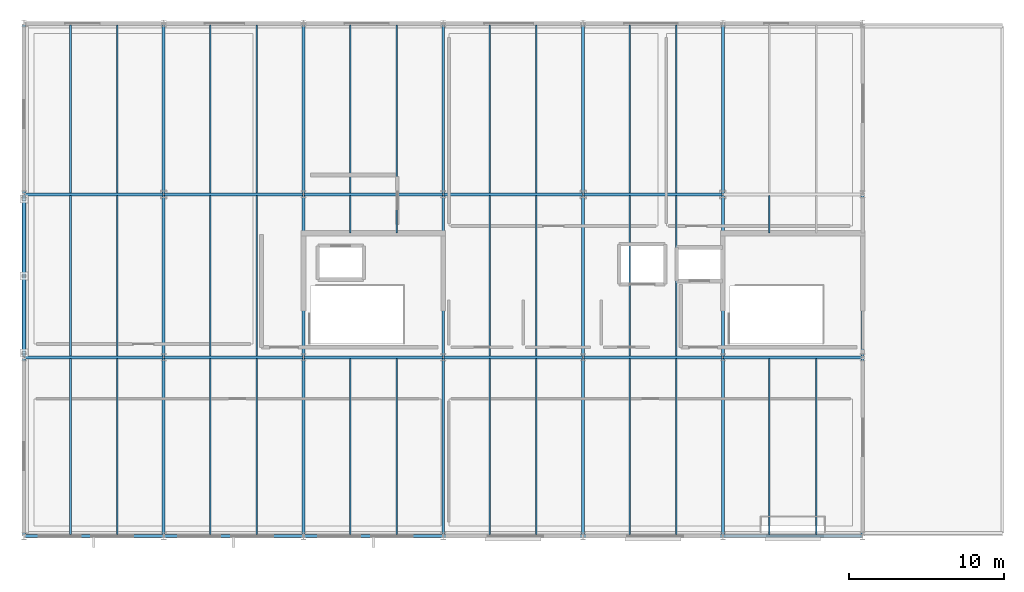
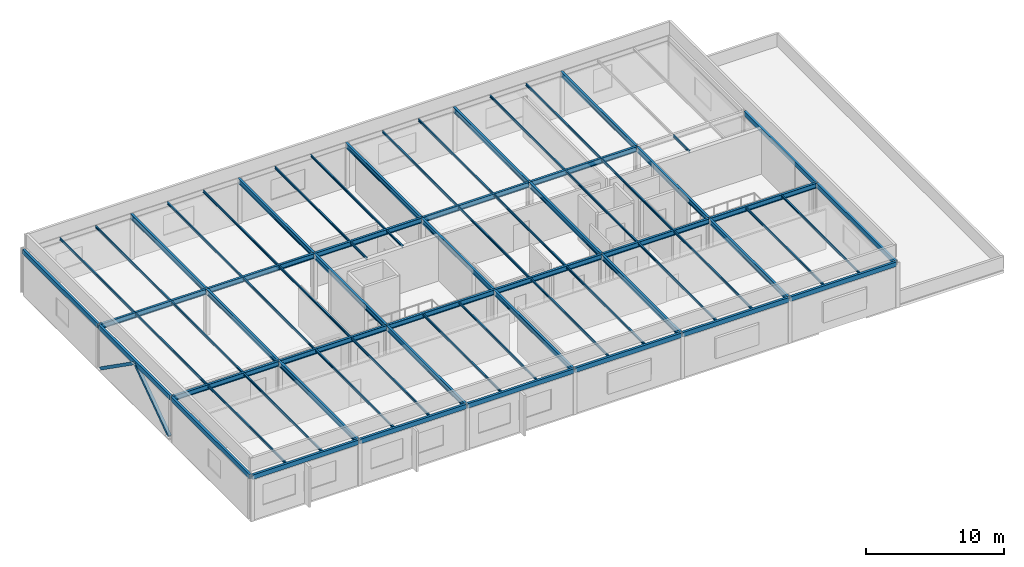
# One storey, part 5 of 14: 70 beams, 2 members.
"""IFC4 building model written with IfcOpenShell, lengths in metres."""

from ifc_helpers import new_model, si_unit, direction, frame, origin, origin_2d, place, context, subcontext, project, spatial, hollow_rectangle, i_section, extrude, material, material_profile, profile_set, type_object, element, save


model = new_model("IFC4")

# Units and contexts
model_context = context("Model", 3, precision=1e-05, world=origin(), true_north=direction((0.0, 1.0)))
body_context = subcontext(model_context, "Body", "Model", "MODEL_VIEW")
ifc_project = project(units=[si_unit("LENGTHUNIT", "METRE"), si_unit("AREAUNIT", "SQUARE_METRE"), si_unit("VOLUMEUNIT", "CUBIC_METRE"), si_unit("PLANEANGLEUNIT", "RADIAN"), si_unit("MASSUNIT", "GRAM", prefix="KILO")], contexts=[model_context])

# Site, building, storey
site_placement = place(None, origin())
site = spatial("IfcSite", under=ifc_project, at=site_placement, CompositionType="ELEMENT")
building_placement = place(site_placement, origin())
building = spatial("IfcBuilding", under=site, at=building_placement, Name="Marlcrest Central Station", CompositionType="ELEMENT")
storey_placement = place(building_placement, frame((0.0, 0.0, 24.0)))
storey = spatial("IfcBuildingStorey", under=building, at=storey_placement, Name="L05", CompositionType="ELEMENT", Elevation=24.0)

# Members
ifc_material = material(Name="Steel S355", Category="steel")
ifc_material_profile_1 = material_profile(ifc_material, hollow_rectangle(XDim=0.25, YDim=0.25, WallThickness=0.012451171875, at=origin_2d()), Name="SHS 250x250x12.5")
ifc_profile_set_1 = profile_set([ifc_material_profile_1], Name="Steel S355")
member_type = type_object("IfcMemberType", Name="BF-02", PredefinedType="BRACE", material=ifc_profile_set_1)
for number, where, z_axis, x_axis, name in (
    (1, (0.0, 110.800048828125, 0.25), (0.0, 0.818064455956, 0.575126547728), (-1.0, 0.0, 0.0), "mem-BF-02-L05-00011"),
    (2, (0.0, 120.699951171875, 0.25), (0.0, -0.818064455956, 0.575126547728), (1.0, 0.0, 0.0), "mem-BF-02-L05-00012"),
):
    element("IfcMember", number, at=place(storey_placement, frame(where, z_axis=z_axis, x_axis=x_axis)), inside=storey, type_object=member_type, Name=name, PredefinedType="BRACE", context=body_context, shape_type="SweptSolid", body=[
        extrude(hollow_rectangle(XDim=0.25, YDim=0.25, WallThickness=0.012451171875, at=origin_2d()), origin(), (0.0, 0.0, 1.0), 6.05078125),
    ])

# Beams
ifc_material_profile_2 = material_profile(ifc_material, i_section(OverallWidth=0.18994140625, OverallDepth=0.449951171875, WebThickness=0.009521484375, FlangeThickness=0.0146484375, FilletRadius=0.02099609375, at=origin_2d()), Name="IPE 450")
ifc_profile_set_2 = profile_set([ifc_material_profile_2], Name="Steel S355")
beam_type_1 = type_object("IfcBeamType", Name="BM-04", PredefinedType="BEAM", material=ifc_profile_set_2)
for number, where, z_axis, x_axis, name in (
    (3, (0.050048828125, 110.5, 3.7548828125), (1.0, 0.0, 0.0), (0.0, 1.0, 0.0), "bm-BM-04-L05-00675"),
    (4, (9.050048828125, 110.5, 3.7548828125), (1.0, 0.0, 0.0), (0.0, 1.0, 0.0), "bm-BM-04-L05-00676"),
    (5, (18.050048828125, 110.5, 3.7548828125), (1.0, 0.0, 0.0), (0.0, 1.0, 0.0), "bm-BM-04-L05-00677"),
    (6, (27.050048828125, 110.5, 3.7548828125), (1.0, 0.0, 0.0), (0.0, 1.0, 0.0), "bm-BM-04-L05-00678"),
    (7, (36.050048828125, 110.5, 3.7548828125), (1.0, 0.0, 0.0), (0.0, 1.0, 0.0), "bm-BM-04-L05-00679"),
    (8, (45.050048828125, 110.5, 3.7548828125), (1.0, 0.0, 0.0), (0.0, 1.0, 0.0), "bm-BM-04-L05-00680"),
    (9, (0.050048828125, 121.0, 3.7548828125), (1.0, 0.0, 0.0), (0.0, 1.0, 0.0), "bm-BM-04-L05-00681"),
    (10, (9.050048828125, 121.0, 3.7548828125), (1.0, 0.0, 0.0), (0.0, 1.0, 0.0), "bm-BM-04-L05-00682"),
    (11, (18.050048828125, 121.0, 3.7548828125), (1.0, 0.0, 0.0), (0.0, 1.0, 0.0), "bm-BM-04-L05-00683"),
    (12, (27.050048828125, 121.0, 3.7548828125), (1.0, 0.0, 0.0), (0.0, 1.0, 0.0), "bm-BM-04-L05-00684"),
    (13, (36.050048828125, 121.0, 3.7548828125), (1.0, 0.0, 0.0), (0.0, 1.0, 0.0), "bm-BM-04-L05-00685"),
):
    element("IfcBeam", number, at=place(storey_placement, frame(where, z_axis=z_axis, x_axis=x_axis)), inside=storey, type_object=beam_type_1, Name=name, PredefinedType="BEAM", context=body_context, shape_type="SweptSolid", body=[
        extrude(i_section(OverallWidth=0.18994140625, OverallDepth=0.449951171875, WebThickness=0.009521484375, FlangeThickness=0.0146484375, FilletRadius=0.02099609375, at=origin_2d()), origin(), (0.0, 0.0, 1.0), 8.89990234375),
    ])
beam_1_placement = place(storey_placement, frame((9.0, 99.050048828125, 3.7548828125), z_axis=(0.0, 1.0, 0.0), x_axis=(-1.0, 0.0, 0.0)))
element("IfcBeam", 14, at=beam_1_placement, inside=storey, type_object=beam_type_1, Name="bm-BM-04-L05-00696", PredefinedType="BEAM", context=body_context, shape_type="SweptSolid", body=[
    extrude(i_section(OverallWidth=0.18994140625, OverallDepth=0.449951171875, WebThickness=0.009521484375, FlangeThickness=0.0146484375, FilletRadius=0.02099609375, at=origin_2d()), origin(), (0.0, 0.0, 1.0), 11.39990234375),
])
beam_2_placement = place(storey_placement, frame((9.0, 110.550048828125, 3.7548828125), z_axis=(0.0, 1.0, 0.0), x_axis=(-1.0, 0.0, 0.0)))
element("IfcBeam", 15, at=beam_2_placement, inside=storey, type_object=beam_type_1, Name="bm-BM-04-L05-00697", PredefinedType="BEAM", context=body_context, shape_type="SweptSolid", body=[
    extrude(i_section(OverallWidth=0.18994140625, OverallDepth=0.449951171875, WebThickness=0.009521484375, FlangeThickness=0.0146484375, FilletRadius=0.02099609375, at=origin_2d()), origin(), (0.0, 0.0, 1.0), 10.39990234375),
])
beam_3_placement = place(storey_placement, frame((9.0, 121.050048828125, 3.7548828125), z_axis=(0.0, 1.0, 0.0), x_axis=(-1.0, 0.0, 0.0)))
element("IfcBeam", 16, at=beam_3_placement, inside=storey, type_object=beam_type_1, Name="bm-BM-04-L05-00698", PredefinedType="BEAM", context=body_context, shape_type="SweptSolid", body=[
    extrude(i_section(OverallWidth=0.18994140625, OverallDepth=0.449951171875, WebThickness=0.009521484375, FlangeThickness=0.0146484375, FilletRadius=0.02099609375, at=origin_2d()), origin(), (0.0, 0.0, 1.0), 10.89990234375),
])
beam_4_placement = place(storey_placement, frame((18.0, 99.050048828125, 3.7548828125), z_axis=(0.0, 1.0, 0.0), x_axis=(-1.0, 0.0, 0.0)))
element("IfcBeam", 17, at=beam_4_placement, inside=storey, type_object=beam_type_1, Name="bm-BM-04-L05-00699", PredefinedType="BEAM", context=body_context, shape_type="SweptSolid", body=[
    extrude(i_section(OverallWidth=0.18994140625, OverallDepth=0.449951171875, WebThickness=0.009521484375, FlangeThickness=0.0146484375, FilletRadius=0.02099609375, at=origin_2d()), origin(), (0.0, 0.0, 1.0), 11.39990234375),
])
beam_5_placement = place(storey_placement, frame((18.0, 110.550048828125, 3.7548828125), z_axis=(0.0, 1.0, 0.0), x_axis=(-1.0, 0.0, 0.0)))
element("IfcBeam", 18, at=beam_5_placement, inside=storey, type_object=beam_type_1, Name="bm-BM-04-L05-00700", PredefinedType="BEAM", context=body_context, shape_type="SweptSolid", body=[
    extrude(i_section(OverallWidth=0.18994140625, OverallDepth=0.449951171875, WebThickness=0.009521484375, FlangeThickness=0.0146484375, FilletRadius=0.02099609375, at=origin_2d()), origin(), (0.0, 0.0, 1.0), 10.39990234375),
])
beam_6_placement = place(storey_placement, frame((18.0, 121.050048828125, 3.7548828125), z_axis=(0.0, 1.0, 0.0), x_axis=(-1.0, 0.0, 0.0)))
element("IfcBeam", 19, at=beam_6_placement, inside=storey, type_object=beam_type_1, Name="bm-BM-04-L05-00701", PredefinedType="BEAM", context=body_context, shape_type="SweptSolid", body=[
    extrude(i_section(OverallWidth=0.18994140625, OverallDepth=0.449951171875, WebThickness=0.009521484375, FlangeThickness=0.0146484375, FilletRadius=0.02099609375, at=origin_2d()), origin(), (0.0, 0.0, 1.0), 10.89990234375),
])
beam_7_placement = place(storey_placement, frame((27.0, 99.050048828125, 3.7548828125), z_axis=(0.0, 1.0, 0.0), x_axis=(-1.0, 0.0, 0.0)))
element("IfcBeam", 20, at=beam_7_placement, inside=storey, type_object=beam_type_1, Name="bm-BM-04-L05-00702", PredefinedType="BEAM", context=body_context, shape_type="SweptSolid", body=[
    extrude(i_section(OverallWidth=0.18994140625, OverallDepth=0.449951171875, WebThickness=0.009521484375, FlangeThickness=0.0146484375, FilletRadius=0.02099609375, at=origin_2d()), origin(), (0.0, 0.0, 1.0), 11.39990234375),
])
beam_8_placement = place(storey_placement, frame((27.0, 110.550048828125, 3.7548828125), z_axis=(0.0, 1.0, 0.0), x_axis=(-1.0, 0.0, 0.0)))
element("IfcBeam", 21, at=beam_8_placement, inside=storey, type_object=beam_type_1, Name="bm-BM-04-L05-00703", PredefinedType="BEAM", context=body_context, shape_type="SweptSolid", body=[
    extrude(i_section(OverallWidth=0.18994140625, OverallDepth=0.449951171875, WebThickness=0.009521484375, FlangeThickness=0.0146484375, FilletRadius=0.02099609375, at=origin_2d()), origin(), (0.0, 0.0, 1.0), 10.39990234375),
])
beam_9_placement = place(storey_placement, frame((27.0, 121.050048828125, 3.7548828125), z_axis=(0.0, 1.0, 0.0), x_axis=(-1.0, 0.0, 0.0)))
element("IfcBeam", 22, at=beam_9_placement, inside=storey, type_object=beam_type_1, Name="bm-BM-04-L05-00704", PredefinedType="BEAM", context=body_context, shape_type="SweptSolid", body=[
    extrude(i_section(OverallWidth=0.18994140625, OverallDepth=0.449951171875, WebThickness=0.009521484375, FlangeThickness=0.0146484375, FilletRadius=0.02099609375, at=origin_2d()), origin(), (0.0, 0.0, 1.0), 10.89990234375),
])
beam_10_placement = place(storey_placement, frame((36.0, 99.050048828125, 3.7548828125), z_axis=(0.0, 1.0, 0.0), x_axis=(-1.0, 0.0, 0.0)))
element("IfcBeam", 23, at=beam_10_placement, inside=storey, type_object=beam_type_1, Name="bm-BM-04-L05-00705", PredefinedType="BEAM", context=body_context, shape_type="SweptSolid", body=[
    extrude(i_section(OverallWidth=0.18994140625, OverallDepth=0.449951171875, WebThickness=0.009521484375, FlangeThickness=0.0146484375, FilletRadius=0.02099609375, at=origin_2d()), origin(), (0.0, 0.0, 1.0), 11.39990234375),
])
beam_11_placement = place(storey_placement, frame((36.0, 110.550048828125, 3.7548828125), z_axis=(0.0, 1.0, 0.0), x_axis=(-1.0, 0.0, 0.0)))
element("IfcBeam", 24, at=beam_11_placement, inside=storey, type_object=beam_type_1, Name="bm-BM-04-L05-00706", PredefinedType="BEAM", context=body_context, shape_type="SweptSolid", body=[
    extrude(i_section(OverallWidth=0.18994140625, OverallDepth=0.449951171875, WebThickness=0.009521484375, FlangeThickness=0.0146484375, FilletRadius=0.02099609375, at=origin_2d()), origin(), (0.0, 0.0, 1.0), 10.39990234375),
])
beam_12_placement = place(storey_placement, frame((36.0, 121.050048828125, 3.7548828125), z_axis=(0.0, 1.0, 0.0), x_axis=(-1.0, 0.0, 0.0)))
element("IfcBeam", 25, at=beam_12_placement, inside=storey, type_object=beam_type_1, Name="bm-BM-04-L05-00707", PredefinedType="BEAM", context=body_context, shape_type="SweptSolid", body=[
    extrude(i_section(OverallWidth=0.18994140625, OverallDepth=0.449951171875, WebThickness=0.009521484375, FlangeThickness=0.0146484375, FilletRadius=0.02099609375, at=origin_2d()), origin(), (0.0, 0.0, 1.0), 10.89990234375),
])
beam_13_placement = place(storey_placement, frame((45.0, 99.050048828125, 3.7548828125), z_axis=(0.0, 1.0, 0.0), x_axis=(-1.0, 0.0, 0.0)))
element("IfcBeam", 26, at=beam_13_placement, inside=storey, type_object=beam_type_1, Name="bm-BM-04-L05-00708", PredefinedType="BEAM", context=body_context, shape_type="SweptSolid", body=[
    extrude(i_section(OverallWidth=0.18994140625, OverallDepth=0.449951171875, WebThickness=0.009521484375, FlangeThickness=0.0146484375, FilletRadius=0.02099609375, at=origin_2d()), origin(), (0.0, 0.0, 1.0), 11.39990234375),
])
beam_14_placement = place(storey_placement, frame((45.0, 110.550048828125, 3.7548828125), z_axis=(0.0, 1.0, 0.0), x_axis=(-1.0, 0.0, 0.0)))
element("IfcBeam", 27, at=beam_14_placement, inside=storey, type_object=beam_type_1, Name="bm-BM-04-L05-00709", PredefinedType="BEAM", context=body_context, shape_type="SweptSolid", body=[
    extrude(i_section(OverallWidth=0.18994140625, OverallDepth=0.449951171875, WebThickness=0.009521484375, FlangeThickness=0.0146484375, FilletRadius=0.02099609375, at=origin_2d()), origin(), (0.0, 0.0, 1.0), 10.39990234375),
])
beam_15_placement = place(storey_placement, frame((45.0, 121.050048828125, 3.7548828125), z_axis=(0.0, 1.0, 0.0), x_axis=(-1.0, 0.0, 0.0)))
element("IfcBeam", 28, at=beam_15_placement, inside=storey, type_object=beam_type_1, Name="bm-BM-04-L05-00710", PredefinedType="BEAM", context=body_context, shape_type="SweptSolid", body=[
    extrude(i_section(OverallWidth=0.18994140625, OverallDepth=0.449951171875, WebThickness=0.009521484375, FlangeThickness=0.0146484375, FilletRadius=0.02099609375, at=origin_2d()), origin(), (0.0, 0.0, 1.0), 10.89990234375),
])
ifc_material_profile_3 = material_profile(ifc_material, i_section(OverallWidth=0.10009765625, OverallDepth=0.199951171875, WebThickness=0.005615234375, FlangeThickness=0.008544921875, FilletRadius=0.011962890625, at=origin_2d()), Name="IPE 200")
ifc_profile_set_3 = profile_set([ifc_material_profile_3], Name="Steel S355")
beam_type_2 = type_object("IfcBeamType", Name="JS-01", PredefinedType="JOIST", material=ifc_profile_set_3)
beam_16_placement = place(storey_placement, frame((3.0, 99.094970703125, 3.8798828125), z_axis=(0.0, 1.0, 0.0), x_axis=(-1.0, 0.0, 0.0)))
element("IfcBeam", 29, at=beam_16_placement, inside=storey, type_object=beam_type_2, Name="bm-JS-01-L05-00714", PredefinedType="JOIST", context=body_context, shape_type="SweptSolid", body=[
    extrude(i_section(OverallWidth=0.10009765625, OverallDepth=0.199951171875, WebThickness=0.005615234375, FlangeThickness=0.008544921875, FilletRadius=0.011962890625, at=origin_2d()), origin(), (0.0, 0.0, 1.0), 11.324951171875),
])
beam_17_placement = place(storey_placement, frame((3.0, 110.580078125, 3.8798828125), z_axis=(0.0, 1.0, 0.0), x_axis=(-1.0, 0.0, 0.0)))
element("IfcBeam", 30, at=beam_17_placement, inside=storey, type_object=beam_type_2, Name="bm-JS-01-L05-00715", PredefinedType="JOIST", context=body_context, shape_type="SweptSolid", body=[
    extrude(i_section(OverallWidth=0.10009765625, OverallDepth=0.199951171875, WebThickness=0.005615234375, FlangeThickness=0.008544921875, FilletRadius=0.011962890625, at=origin_2d()), origin(), (0.0, 0.0, 1.0), 10.33984375),
])
beam_18_placement = place(storey_placement, frame((3.0, 121.080078125, 3.8798828125), z_axis=(0.0, 1.0, 0.0), x_axis=(-1.0, 0.0, 0.0)))
element("IfcBeam", 31, at=beam_18_placement, inside=storey, type_object=beam_type_2, Name="bm-JS-01-L05-00716", PredefinedType="JOIST", context=body_context, shape_type="SweptSolid", body=[
    extrude(i_section(OverallWidth=0.10009765625, OverallDepth=0.199951171875, WebThickness=0.005615234375, FlangeThickness=0.008544921875, FilletRadius=0.011962890625, at=origin_2d()), origin(), (0.0, 0.0, 1.0), 10.824951171875),
])
beam_19_placement = place(storey_placement, frame((6.0, 99.094970703125, 3.8798828125), z_axis=(0.0, 1.0, 0.0), x_axis=(-1.0, 0.0, 0.0)))
element("IfcBeam", 32, at=beam_19_placement, inside=storey, type_object=beam_type_2, Name="bm-JS-01-L05-00717", PredefinedType="JOIST", context=body_context, shape_type="SweptSolid", body=[
    extrude(i_section(OverallWidth=0.10009765625, OverallDepth=0.199951171875, WebThickness=0.005615234375, FlangeThickness=0.008544921875, FilletRadius=0.011962890625, at=origin_2d()), origin(), (0.0, 0.0, 1.0), 11.324951171875),
])
beam_20_placement = place(storey_placement, frame((6.0, 110.580078125, 3.8798828125), z_axis=(0.0, 1.0, 0.0), x_axis=(-1.0, 0.0, 0.0)))
element("IfcBeam", 33, at=beam_20_placement, inside=storey, type_object=beam_type_2, Name="bm-JS-01-L05-00718", PredefinedType="JOIST", context=body_context, shape_type="SweptSolid", body=[
    extrude(i_section(OverallWidth=0.10009765625, OverallDepth=0.199951171875, WebThickness=0.005615234375, FlangeThickness=0.008544921875, FilletRadius=0.011962890625, at=origin_2d()), origin(), (0.0, 0.0, 1.0), 10.33984375),
])
beam_21_placement = place(storey_placement, frame((6.0, 121.080078125, 3.8798828125), z_axis=(0.0, 1.0, 0.0), x_axis=(-1.0, 0.0, 0.0)))
element("IfcBeam", 34, at=beam_21_placement, inside=storey, type_object=beam_type_2, Name="bm-JS-01-L05-00719", PredefinedType="JOIST", context=body_context, shape_type="SweptSolid", body=[
    extrude(i_section(OverallWidth=0.10009765625, OverallDepth=0.199951171875, WebThickness=0.005615234375, FlangeThickness=0.008544921875, FilletRadius=0.011962890625, at=origin_2d()), origin(), (0.0, 0.0, 1.0), 10.824951171875),
])
beam_22_placement = place(storey_placement, frame((12.0, 99.094970703125, 3.8798828125), z_axis=(0.0, 1.0, 0.0), x_axis=(-1.0, 0.0, 0.0)))
element("IfcBeam", 35, at=beam_22_placement, inside=storey, type_object=beam_type_2, Name="bm-JS-01-L05-00720", PredefinedType="JOIST", context=body_context, shape_type="SweptSolid", body=[
    extrude(i_section(OverallWidth=0.10009765625, OverallDepth=0.199951171875, WebThickness=0.005615234375, FlangeThickness=0.008544921875, FilletRadius=0.011962890625, at=origin_2d()), origin(), (0.0, 0.0, 1.0), 11.324951171875),
])
beam_23_placement = place(storey_placement, frame((12.0, 110.580078125, 3.8798828125), z_axis=(0.0, 1.0, 0.0), x_axis=(-1.0, 0.0, 0.0)))
element("IfcBeam", 36, at=beam_23_placement, inside=storey, type_object=beam_type_2, Name="bm-JS-01-L05-00721", PredefinedType="JOIST", context=body_context, shape_type="SweptSolid", body=[
    extrude(i_section(OverallWidth=0.10009765625, OverallDepth=0.199951171875, WebThickness=0.005615234375, FlangeThickness=0.008544921875, FilletRadius=0.011962890625, at=origin_2d()), origin(), (0.0, 0.0, 1.0), 10.33984375),
])
beam_24_placement = place(storey_placement, frame((12.0, 121.080078125, 3.8798828125), z_axis=(0.0, 1.0, 0.0), x_axis=(-1.0, 0.0, 0.0)))
element("IfcBeam", 37, at=beam_24_placement, inside=storey, type_object=beam_type_2, Name="bm-JS-01-L05-00722", PredefinedType="JOIST", context=body_context, shape_type="SweptSolid", body=[
    extrude(i_section(OverallWidth=0.10009765625, OverallDepth=0.199951171875, WebThickness=0.005615234375, FlangeThickness=0.008544921875, FilletRadius=0.011962890625, at=origin_2d()), origin(), (0.0, 0.0, 1.0), 10.824951171875),
])
beam_25_placement = place(storey_placement, frame((15.0, 99.094970703125, 3.8798828125), z_axis=(0.0, 1.0, 0.0), x_axis=(-1.0, 0.0, 0.0)))
element("IfcBeam", 38, at=beam_25_placement, inside=storey, type_object=beam_type_2, Name="bm-JS-01-L05-00723", PredefinedType="JOIST", context=body_context, shape_type="SweptSolid", body=[
    extrude(i_section(OverallWidth=0.10009765625, OverallDepth=0.199951171875, WebThickness=0.005615234375, FlangeThickness=0.008544921875, FilletRadius=0.011962890625, at=origin_2d()), origin(), (0.0, 0.0, 1.0), 11.324951171875),
])
beam_26_placement = place(storey_placement, frame((15.0, 110.580078125, 3.8798828125), z_axis=(0.0, 1.0, 0.0), x_axis=(-1.0, 0.0, 0.0)))
element("IfcBeam", 39, at=beam_26_placement, inside=storey, type_object=beam_type_2, Name="bm-JS-01-L05-00724", PredefinedType="JOIST", context=body_context, shape_type="SweptSolid", body=[
    extrude(i_section(OverallWidth=0.10009765625, OverallDepth=0.199951171875, WebThickness=0.005615234375, FlangeThickness=0.008544921875, FilletRadius=0.011962890625, at=origin_2d()), origin(), (0.0, 0.0, 1.0), 10.33984375),
])
beam_27_placement = place(storey_placement, frame((15.0, 121.080078125, 3.8798828125), z_axis=(0.0, 1.0, 0.0), x_axis=(-1.0, 0.0, 0.0)))
element("IfcBeam", 40, at=beam_27_placement, inside=storey, type_object=beam_type_2, Name="bm-JS-01-L05-00725", PredefinedType="JOIST", context=body_context, shape_type="SweptSolid", body=[
    extrude(i_section(OverallWidth=0.10009765625, OverallDepth=0.199951171875, WebThickness=0.005615234375, FlangeThickness=0.008544921875, FilletRadius=0.011962890625, at=origin_2d()), origin(), (0.0, 0.0, 1.0), 10.824951171875),
])
beam_28_placement = place(storey_placement, frame((21.0, 99.094970703125, 3.8798828125), z_axis=(0.0, 1.0, 0.0), x_axis=(-1.0, 0.0, 0.0)))
element("IfcBeam", 41, at=beam_28_placement, inside=storey, type_object=beam_type_2, Name="bm-JS-01-L05-00726", PredefinedType="JOIST", context=body_context, shape_type="SweptSolid", body=[
    extrude(i_section(OverallWidth=0.10009765625, OverallDepth=0.199951171875, WebThickness=0.005615234375, FlangeThickness=0.008544921875, FilletRadius=0.011962890625, at=origin_2d()), origin(), (0.0, 0.0, 1.0), 11.324951171875),
])
beam_29_placement = place(storey_placement, frame((21.0, 118.52001953125, 3.8798828125), z_axis=(0.0, 1.0, 0.0), x_axis=(-1.0, 0.0, 0.0)))
element("IfcBeam", 42, at=beam_29_placement, inside=storey, type_object=beam_type_2, Name="bm-JS-01-L05-00727", PredefinedType="JOIST", context=body_context, shape_type="SweptSolid", body=[
    extrude(i_section(OverallWidth=0.10009765625, OverallDepth=0.199951171875, WebThickness=0.005615234375, FlangeThickness=0.008544921875, FilletRadius=0.011962890625, at=origin_2d()), origin(), (0.0, 0.0, 1.0), 2.39990234375),
])
beam_30_placement = place(storey_placement, frame((21.0, 121.080078125, 3.8798828125), z_axis=(0.0, 1.0, 0.0), x_axis=(-1.0, 0.0, 0.0)))
element("IfcBeam", 43, at=beam_30_placement, inside=storey, type_object=beam_type_2, Name="bm-JS-01-L05-00728", PredefinedType="JOIST", context=body_context, shape_type="SweptSolid", body=[
    extrude(i_section(OverallWidth=0.10009765625, OverallDepth=0.199951171875, WebThickness=0.005615234375, FlangeThickness=0.008544921875, FilletRadius=0.011962890625, at=origin_2d()), origin(), (0.0, 0.0, 1.0), 10.824951171875),
])
beam_31_placement = place(storey_placement, frame((24.0, 99.094970703125, 3.8798828125), z_axis=(0.0, 1.0, 0.0), x_axis=(-1.0, 0.0, 0.0)))
element("IfcBeam", 44, at=beam_31_placement, inside=storey, type_object=beam_type_2, Name="bm-JS-01-L05-00729", PredefinedType="JOIST", context=body_context, shape_type="SweptSolid", body=[
    extrude(i_section(OverallWidth=0.10009765625, OverallDepth=0.199951171875, WebThickness=0.005615234375, FlangeThickness=0.008544921875, FilletRadius=0.011962890625, at=origin_2d()), origin(), (0.0, 0.0, 1.0), 11.324951171875),
])
beam_32_placement = place(storey_placement, frame((24.0, 118.52001953125, 3.8798828125), z_axis=(0.0, 1.0, 0.0), x_axis=(-1.0, 0.0, 0.0)))
element("IfcBeam", 45, at=beam_32_placement, inside=storey, type_object=beam_type_2, Name="bm-JS-01-L05-00730", PredefinedType="JOIST", context=body_context, shape_type="SweptSolid", body=[
    extrude(i_section(OverallWidth=0.10009765625, OverallDepth=0.199951171875, WebThickness=0.005615234375, FlangeThickness=0.008544921875, FilletRadius=0.011962890625, at=origin_2d()), origin(), (0.0, 0.0, 1.0), 2.39990234375),
])
beam_33_placement = place(storey_placement, frame((24.0, 121.080078125, 3.8798828125), z_axis=(0.0, 1.0, 0.0), x_axis=(-1.0, 0.0, 0.0)))
element("IfcBeam", 46, at=beam_33_placement, inside=storey, type_object=beam_type_2, Name="bm-JS-01-L05-00731", PredefinedType="JOIST", context=body_context, shape_type="SweptSolid", body=[
    extrude(i_section(OverallWidth=0.10009765625, OverallDepth=0.199951171875, WebThickness=0.005615234375, FlangeThickness=0.008544921875, FilletRadius=0.011962890625, at=origin_2d()), origin(), (0.0, 0.0, 1.0), 10.824951171875),
])
beam_34_placement = place(storey_placement, frame((30.0, 99.094970703125, 3.8798828125), z_axis=(0.0, 1.0, 0.0), x_axis=(-1.0, 0.0, 0.0)))
element("IfcBeam", 47, at=beam_34_placement, inside=storey, type_object=beam_type_2, Name="bm-JS-01-L05-00732", PredefinedType="JOIST", context=body_context, shape_type="SweptSolid", body=[
    extrude(i_section(OverallWidth=0.10009765625, OverallDepth=0.199951171875, WebThickness=0.005615234375, FlangeThickness=0.008544921875, FilletRadius=0.011962890625, at=origin_2d()), origin(), (0.0, 0.0, 1.0), 11.324951171875),
])
beam_35_placement = place(storey_placement, frame((30.0, 110.580078125, 3.8798828125), z_axis=(0.0, 1.0, 0.0), x_axis=(-1.0, 0.0, 0.0)))
element("IfcBeam", 48, at=beam_35_placement, inside=storey, type_object=beam_type_2, Name="bm-JS-01-L05-00733", PredefinedType="JOIST", context=body_context, shape_type="SweptSolid", body=[
    extrude(i_section(OverallWidth=0.10009765625, OverallDepth=0.199951171875, WebThickness=0.005615234375, FlangeThickness=0.008544921875, FilletRadius=0.011962890625, at=origin_2d()), origin(), (0.0, 0.0, 1.0), 10.33984375),
])
beam_36_placement = place(storey_placement, frame((30.0, 121.080078125, 3.8798828125), z_axis=(0.0, 1.0, 0.0), x_axis=(-1.0, 0.0, 0.0)))
element("IfcBeam", 49, at=beam_36_placement, inside=storey, type_object=beam_type_2, Name="bm-JS-01-L05-00734", PredefinedType="JOIST", context=body_context, shape_type="SweptSolid", body=[
    extrude(i_section(OverallWidth=0.10009765625, OverallDepth=0.199951171875, WebThickness=0.005615234375, FlangeThickness=0.008544921875, FilletRadius=0.011962890625, at=origin_2d()), origin(), (0.0, 0.0, 1.0), 10.824951171875),
])
beam_37_placement = place(storey_placement, frame((33.0, 99.094970703125, 3.8798828125), z_axis=(0.0, 1.0, 0.0), x_axis=(-1.0, 0.0, 0.0)))
element("IfcBeam", 50, at=beam_37_placement, inside=storey, type_object=beam_type_2, Name="bm-JS-01-L05-00735", PredefinedType="JOIST", context=body_context, shape_type="SweptSolid", body=[
    extrude(i_section(OverallWidth=0.10009765625, OverallDepth=0.199951171875, WebThickness=0.005615234375, FlangeThickness=0.008544921875, FilletRadius=0.011962890625, at=origin_2d()), origin(), (0.0, 0.0, 1.0), 11.324951171875),
])
beam_38_placement = place(storey_placement, frame((33.0, 110.580078125, 3.8798828125), z_axis=(0.0, 1.0, 0.0), x_axis=(-1.0, 0.0, 0.0)))
element("IfcBeam", 51, at=beam_38_placement, inside=storey, type_object=beam_type_2, Name="bm-JS-01-L05-00736", PredefinedType="JOIST", context=body_context, shape_type="SweptSolid", body=[
    extrude(i_section(OverallWidth=0.10009765625, OverallDepth=0.199951171875, WebThickness=0.005615234375, FlangeThickness=0.008544921875, FilletRadius=0.011962890625, at=origin_2d()), origin(), (0.0, 0.0, 1.0), 10.33984375),
])
beam_39_placement = place(storey_placement, frame((33.0, 121.080078125, 3.8798828125), z_axis=(0.0, 1.0, 0.0), x_axis=(-1.0, 0.0, 0.0)))
element("IfcBeam", 52, at=beam_39_placement, inside=storey, type_object=beam_type_2, Name="bm-JS-01-L05-00737", PredefinedType="JOIST", context=body_context, shape_type="SweptSolid", body=[
    extrude(i_section(OverallWidth=0.10009765625, OverallDepth=0.199951171875, WebThickness=0.005615234375, FlangeThickness=0.008544921875, FilletRadius=0.011962890625, at=origin_2d()), origin(), (0.0, 0.0, 1.0), 10.824951171875),
])
beam_40_placement = place(storey_placement, frame((39.0, 99.094970703125, 3.8798828125), z_axis=(0.0, 1.0, 0.0), x_axis=(-1.0, 0.0, 0.0)))
element("IfcBeam", 53, at=beam_40_placement, inside=storey, type_object=beam_type_2, Name="bm-JS-01-L05-00738", PredefinedType="JOIST", context=body_context, shape_type="SweptSolid", body=[
    extrude(i_section(OverallWidth=0.10009765625, OverallDepth=0.199951171875, WebThickness=0.005615234375, FlangeThickness=0.008544921875, FilletRadius=0.011962890625, at=origin_2d()), origin(), (0.0, 0.0, 1.0), 11.324951171875),
])
beam_41_placement = place(storey_placement, frame((39.0, 110.580078125, 3.8798828125), z_axis=(0.0, 1.0, 0.0), x_axis=(-1.0, 0.0, 0.0)))
element("IfcBeam", 54, at=beam_41_placement, inside=storey, type_object=beam_type_2, Name="bm-JS-01-L05-00739", PredefinedType="JOIST", context=body_context, shape_type="SweptSolid", body=[
    extrude(i_section(OverallWidth=0.10009765625, OverallDepth=0.199951171875, WebThickness=0.005615234375, FlangeThickness=0.008544921875, FilletRadius=0.011962890625, at=origin_2d()), origin(), (0.0, 0.0, 1.0), 10.33984375),
])
beam_42_placement = place(storey_placement, frame((39.0, 121.080078125, 3.8798828125), z_axis=(0.0, 1.0, 0.0), x_axis=(-1.0, 0.0, 0.0)))
element("IfcBeam", 55, at=beam_42_placement, inside=storey, type_object=beam_type_2, Name="bm-JS-01-L05-00740", PredefinedType="JOIST", context=body_context, shape_type="SweptSolid", body=[
    extrude(i_section(OverallWidth=0.10009765625, OverallDepth=0.199951171875, WebThickness=0.005615234375, FlangeThickness=0.008544921875, FilletRadius=0.011962890625, at=origin_2d()), origin(), (0.0, 0.0, 1.0), 10.824951171875),
])
beam_43_placement = place(storey_placement, frame((42.0, 99.094970703125, 3.8798828125), z_axis=(0.0, 1.0, 0.0), x_axis=(-1.0, 0.0, 0.0)))
element("IfcBeam", 56, at=beam_43_placement, inside=storey, type_object=beam_type_2, Name="bm-JS-01-L05-00741", PredefinedType="JOIST", context=body_context, shape_type="SweptSolid", body=[
    extrude(i_section(OverallWidth=0.10009765625, OverallDepth=0.199951171875, WebThickness=0.005615234375, FlangeThickness=0.008544921875, FilletRadius=0.011962890625, at=origin_2d()), origin(), (0.0, 0.0, 1.0), 11.324951171875),
])
beam_44_placement = place(storey_placement, frame((42.0, 110.580078125, 3.8798828125), z_axis=(0.0, 1.0, 0.0), x_axis=(-1.0, 0.0, 0.0)))
element("IfcBeam", 57, at=beam_44_placement, inside=storey, type_object=beam_type_2, Name="bm-JS-01-L05-00742", PredefinedType="JOIST", context=body_context, shape_type="SweptSolid", body=[
    extrude(i_section(OverallWidth=0.10009765625, OverallDepth=0.199951171875, WebThickness=0.005615234375, FlangeThickness=0.008544921875, FilletRadius=0.011962890625, at=origin_2d()), origin(), (0.0, 0.0, 1.0), 10.33984375),
])
beam_45_placement = place(storey_placement, frame((42.0, 121.080078125, 3.8798828125), z_axis=(0.0, 1.0, 0.0), x_axis=(-1.0, 0.0, 0.0)))
element("IfcBeam", 58, at=beam_45_placement, inside=storey, type_object=beam_type_2, Name="bm-JS-01-L05-00743", PredefinedType="JOIST", context=body_context, shape_type="SweptSolid", body=[
    extrude(i_section(OverallWidth=0.10009765625, OverallDepth=0.199951171875, WebThickness=0.005615234375, FlangeThickness=0.008544921875, FilletRadius=0.011962890625, at=origin_2d()), origin(), (0.0, 0.0, 1.0), 10.824951171875),
])
beam_46_placement = place(storey_placement, frame((48.0, 99.094970703125, 3.8798828125), z_axis=(0.0, 1.0, 0.0), x_axis=(-1.0, 0.0, 0.0)))
element("IfcBeam", 59, at=beam_46_placement, inside=storey, type_object=beam_type_2, Name="bm-JS-01-L05-00744", PredefinedType="JOIST", context=body_context, shape_type="SweptSolid", body=[
    extrude(i_section(OverallWidth=0.10009765625, OverallDepth=0.199951171875, WebThickness=0.005615234375, FlangeThickness=0.008544921875, FilletRadius=0.011962890625, at=origin_2d()), origin(), (0.0, 0.0, 1.0), 11.324951171875),
])
beam_47_placement = place(storey_placement, frame((48.0, 118.52001953125, 3.8798828125), z_axis=(0.0, 1.0, 0.0), x_axis=(-1.0, 0.0, 0.0)))
element("IfcBeam", 60, at=beam_47_placement, inside=storey, type_object=beam_type_2, Name="bm-JS-01-L05-00745", PredefinedType="JOIST", context=body_context, shape_type="SweptSolid", body=[
    extrude(i_section(OverallWidth=0.10009765625, OverallDepth=0.199951171875, WebThickness=0.005615234375, FlangeThickness=0.008544921875, FilletRadius=0.011962890625, at=origin_2d()), origin(), (0.0, 0.0, 1.0), 2.39990234375),
])
beam_48_placement = place(storey_placement, frame((51.0, 99.094970703125, 3.8798828125), z_axis=(0.0, 1.0, 0.0), x_axis=(-1.0, 0.0, 0.0)))
element("IfcBeam", 61, at=beam_48_placement, inside=storey, type_object=beam_type_2, Name="bm-JS-01-L05-00747", PredefinedType="JOIST", context=body_context, shape_type="SweptSolid", body=[
    extrude(i_section(OverallWidth=0.10009765625, OverallDepth=0.199951171875, WebThickness=0.005615234375, FlangeThickness=0.008544921875, FilletRadius=0.011962890625, at=origin_2d()), origin(), (0.0, 0.0, 1.0), 11.324951171875),
])
ifc_material_profile_4 = material_profile(ifc_material, hollow_rectangle(XDim=0.199951171875, YDim=0.39990234375, WallThickness=0.01611328125, at=origin_2d()), Name="RHS 400x200x16")
ifc_profile_set_4 = profile_set([ifc_material_profile_4], Name="Steel S355")
beam_type_3 = type_object("IfcBeamType", Name="SP-01", PredefinedType="SPANDREL", material=ifc_profile_set_4)
for number, where, z_axis, x_axis, name in (
    (62, (0.050048828125, 99.0, 3.780029296875), (1.0, 0.0, 0.0), (0.0, 1.0, 0.0), "bm-SP-01-L05-00669"),
    (63, (9.050048828125, 99.0, 3.780029296875), (1.0, 0.0, 0.0), (0.0, 1.0, 0.0), "bm-SP-01-L05-00670"),
    (64, (18.050048828125, 99.0, 3.780029296875), (1.0, 0.0, 0.0), (0.0, 1.0, 0.0), "bm-SP-01-L05-00671"),
    (65, (27.050048828125, 99.0, 3.780029296875), (1.0, 0.0, 0.0), (0.0, 1.0, 0.0), "bm-SP-01-L05-00672"),
    (66, (36.050048828125, 99.0, 3.780029296875), (1.0, 0.0, 0.0), (0.0, 1.0, 0.0), "bm-SP-01-L05-00673"),
    (67, (45.050048828125, 99.0, 3.780029296875), (1.0, 0.0, 0.0), (0.0, 1.0, 0.0), "bm-SP-01-L05-00674"),
):
    element("IfcBeam", number, at=place(storey_placement, frame(where, z_axis=z_axis, x_axis=x_axis)), inside=storey, type_object=beam_type_3, Name=name, PredefinedType="SPANDREL", context=body_context, shape_type="SweptSolid", body=[
        extrude(hollow_rectangle(XDim=0.199951171875, YDim=0.39990234375, WallThickness=0.01611328125, at=origin_2d()), origin(), (0.0, 0.0, 1.0), 8.89990234375),
    ])
beam_49_placement = place(storey_placement, frame((0.0, 99.050048828125, 3.780029296875), z_axis=(0.0, 1.0, 0.0), x_axis=(-1.0, 0.0, 0.0)))
element("IfcBeam", 68, at=beam_49_placement, inside=storey, type_object=beam_type_3, Name="bm-SP-01-L05-00693", PredefinedType="SPANDREL", context=body_context, shape_type="SweptSolid", body=[
    extrude(hollow_rectangle(XDim=0.199951171875, YDim=0.39990234375, WallThickness=0.01611328125, at=origin_2d()), origin(), (0.0, 0.0, 1.0), 11.39990234375),
])
beam_50_placement = place(storey_placement, frame((0.0, 110.550048828125, 3.780029296875), z_axis=(0.0, 1.0, 0.0), x_axis=(-1.0, 0.0, 0.0)))
element("IfcBeam", 69, at=beam_50_placement, inside=storey, type_object=beam_type_3, Name="bm-SP-01-L05-00694", PredefinedType="SPANDREL", context=body_context, shape_type="SweptSolid", body=[
    extrude(hollow_rectangle(XDim=0.199951171875, YDim=0.39990234375, WallThickness=0.01611328125, at=origin_2d()), origin(), (0.0, 0.0, 1.0), 10.39990234375),
])
beam_51_placement = place(storey_placement, frame((0.0, 121.050048828125, 3.780029296875), z_axis=(0.0, 1.0, 0.0), x_axis=(-1.0, 0.0, 0.0)))
element("IfcBeam", 70, at=beam_51_placement, inside=storey, type_object=beam_type_3, Name="bm-SP-01-L05-00695", PredefinedType="SPANDREL", context=body_context, shape_type="SweptSolid", body=[
    extrude(hollow_rectangle(XDim=0.199951171875, YDim=0.39990234375, WallThickness=0.01611328125, at=origin_2d()), origin(), (0.0, 0.0, 1.0), 10.89990234375),
])
beam_52_placement = place(storey_placement, frame((54.0, 99.050048828125, 3.780029296875), z_axis=(0.0, 1.0, 0.0), x_axis=(-1.0, 0.0, 0.0)))
element("IfcBeam", 71, at=beam_52_placement, inside=storey, type_object=beam_type_3, Name="bm-SP-01-L05-00711", PredefinedType="SPANDREL", context=body_context, shape_type="SweptSolid", body=[
    extrude(hollow_rectangle(XDim=0.199951171875, YDim=0.39990234375, WallThickness=0.01611328125, at=origin_2d()), origin(), (0.0, 0.0, 1.0), 11.39990234375),
])
beam_53_placement = place(storey_placement, frame((54.0, 110.550048828125, 3.780029296875), z_axis=(0.0, 1.0, 0.0), x_axis=(-1.0, 0.0, 0.0)))
element("IfcBeam", 72, at=beam_53_placement, inside=storey, type_object=beam_type_3, Name="bm-SP-01-L05-00712", PredefinedType="SPANDREL", context=body_context, shape_type="SweptSolid", body=[
    extrude(hollow_rectangle(XDim=0.199951171875, YDim=0.39990234375, WallThickness=0.01611328125, at=origin_2d()), origin(), (0.0, 0.0, 1.0), 10.39990234375),
])

save(model, "model.ifc")
